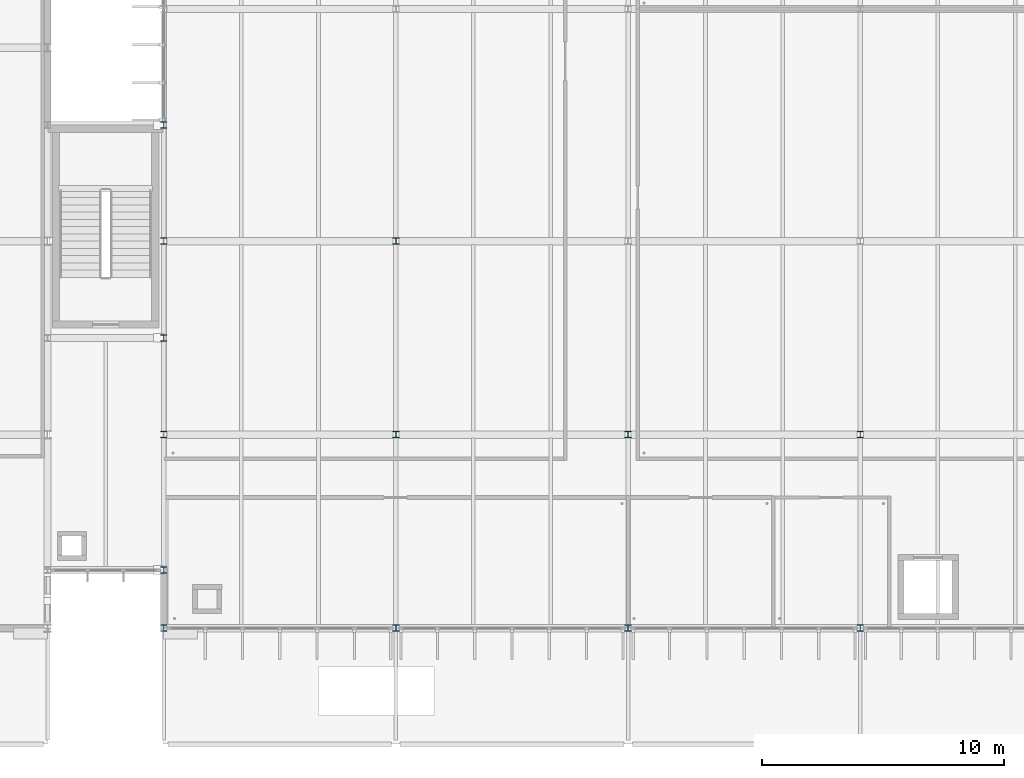
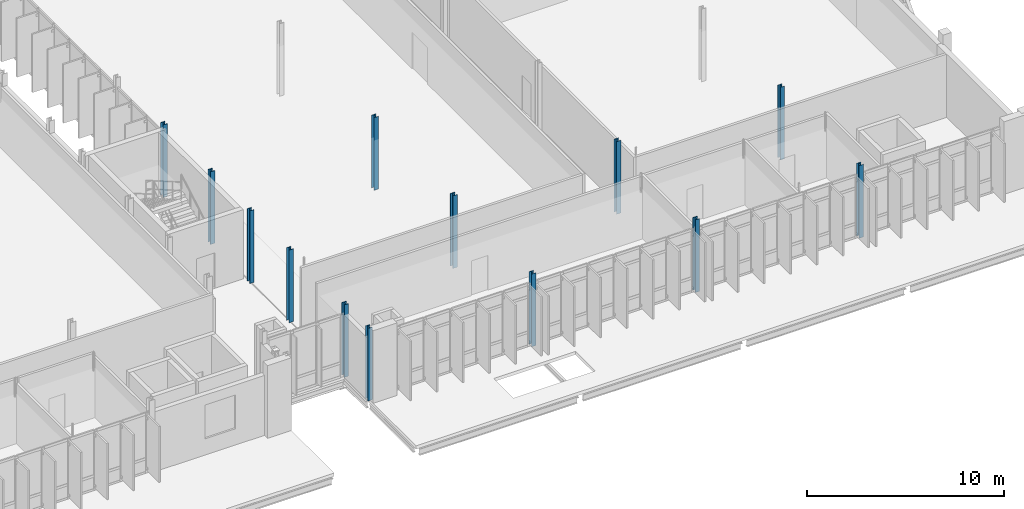
# One storey, part 12 of 107: 13 columns.
"""IFC4 building model written with IfcOpenShell, lengths in metres."""

from ifc_helpers import new_model, si_unit, direction, frame, origin, origin_2d, place, context, subcontext, project, spatial, i_section, extrude, material, material_profile, profile_set, type_object, element, save


model = new_model("IFC4")

# Units and contexts
model_context = context("Model", 3, precision=1e-05, world=origin(), true_north=direction((0.0, 1.0)))
body_context = subcontext(model_context, "Body", "Model", "MODEL_VIEW")
ifc_project = project(units=[si_unit("LENGTHUNIT", "METRE"), si_unit("AREAUNIT", "SQUARE_METRE"), si_unit("VOLUMEUNIT", "CUBIC_METRE"), si_unit("PLANEANGLEUNIT", "RADIAN"), si_unit("MASSUNIT", "GRAM", prefix="KILO")], contexts=[model_context])

# Site, building, storey
site_placement = place(None, origin())
site = spatial("IfcSite", under=ifc_project, at=site_placement, CompositionType="ELEMENT")
building_placement = place(site_placement, origin())
building = spatial("IfcBuilding", under=site, at=building_placement, Name="Dunescarp Central Library", CompositionType="ELEMENT")
storey_placement = place(building_placement, frame((0.0, 0.0, 5.10009765625)))
storey = spatial("IfcBuildingStorey", under=building, at=storey_placement, Name="L01", CompositionType="ELEMENT", Elevation=5.10009765625)

# Columns
ifc_material = material(Name="Steel S355JR", Category="steel")
ifc_material_profile_1 = material_profile(ifc_material, i_section(OverallWidth=0.2587890625, OverallDepth=0.2666015625, WebThickness=0.0126953125, FlangeThickness=0.0205078125, at=origin_2d()), Name="UC 254x254x107")
ifc_profile_set_1 = profile_set([ifc_material_profile_1], Name="Steel S355JR")
column_type_1 = type_object("IfcColumnType", Name="STR-COL-UC254X107", PredefinedType="COLUMN", material=ifc_profile_set_1)
for number, where, z_axis, x_axis, name in (
    (1, (129.60009765625, 4.800048828125, 0.0), (0.0, 0.0, 1.0), (1.0, 0.0, 0.0), "L01 column V5-1296-48"),
    (2, (129.60009765625, 12.800048828125, 0.0), (0.0, 0.0, 1.0), (1.0, 0.0, 0.0), "L01 column V5-1296-128"),
    (3, (129.60009765625, 20.800048828125, 0.0), (0.0, 0.0, 1.0), (1.0, 0.0, 0.0), "L01 column V5-1296-208"),
    (4, (139.199951171875, 4.800048828125, 0.0), (0.0, 0.0, 1.0), (1.0, 0.0, 0.0), "L01 column V5-1392-48"),
    (5, (139.199951171875, 12.800048828125, 0.0), (0.0, 0.0, 1.0), (1.0, 0.0, 0.0), "L01 column V5-1392-128"),
    (6, (139.199951171875, 20.800048828125, 0.0), (0.0, 0.0, 1.0), (1.0, 0.0, 0.0), "L01 column V5-1392-208"),
    (7, (148.800048828125, 4.800048828125, 0.0), (0.0, 0.0, 1.0), (1.0, 0.0, 0.0), "L01 column V5-1488-48"),
    (8, (148.800048828125, 12.800048828125, 0.0), (0.0, 0.0, 1.0), (1.0, 0.0, 0.0), "L01 column V5-1488-128"),
    (9, (158.39990234375, 4.800048828125, 0.0), (0.0, 0.0, 1.0), (1.0, 0.0, 0.0), "L01 column V5-1584-48"),
    (10, (158.39990234375, 12.800048828125, 0.0), (0.0, 0.0, 1.0), (1.0, 0.0, 0.0), "L01 column V5-1584-128"),
):
    element("IfcColumn", number, at=place(storey_placement, frame(where, z_axis=z_axis, x_axis=x_axis)), inside=storey, type_object=column_type_1, Name=name, PredefinedType="COLUMN", context=body_context, shape_type="SweptSolid", body=[
        extrude(i_section(OverallWidth=0.2587890625, OverallDepth=0.2666015625, WebThickness=0.0126953125, FlangeThickness=0.0205078125, at=origin_2d()), origin(), (0.0, 0.0, 1.0), 4.5),
    ])
ifc_material_profile_2 = material_profile(ifc_material, i_section(OverallWidth=0.25634765625, OverallDepth=0.26025390625, WebThickness=0.01025390625, FlangeThickness=0.017333984375, at=origin_2d()), Name="UC 254x254x89")
ifc_profile_set_2 = profile_set([ifc_material_profile_2], Name="Steel S355JR")
column_type_2 = type_object("IfcColumnType", Name="STR-COL-UC254X89", PredefinedType="COLUMN", material=ifc_profile_set_2)
for number, where, z_axis, x_axis, name in (
    (11, (129.60009765625, 7.199951171875, 0.0), (0.0, 0.0, 1.0), (1.0, 0.0, 0.0), "L01 column V5L-72"),
    (12, (129.60009765625, 16.800048828125, 0.0), (0.0, 0.0, 1.0), (1.0, 0.0, 0.0), "L01 column V5L-168"),
    (13, (129.60009765625, 25.60009765625, 0.0), (0.0, 0.0, 1.0), (1.0, 0.0, 0.0), "L01 column V5L-256"),
):
    element("IfcColumn", number, at=place(storey_placement, frame(where, z_axis=z_axis, x_axis=x_axis)), inside=storey, type_object=column_type_2, Name=name, PredefinedType="COLUMN", context=body_context, shape_type="SweptSolid", body=[
        extrude(i_section(OverallWidth=0.25634765625, OverallDepth=0.26025390625, WebThickness=0.01025390625, FlangeThickness=0.017333984375, at=origin_2d()), origin(), (0.0, 0.0, 1.0), 4.5),
    ])

save(model, "model.ifc")
